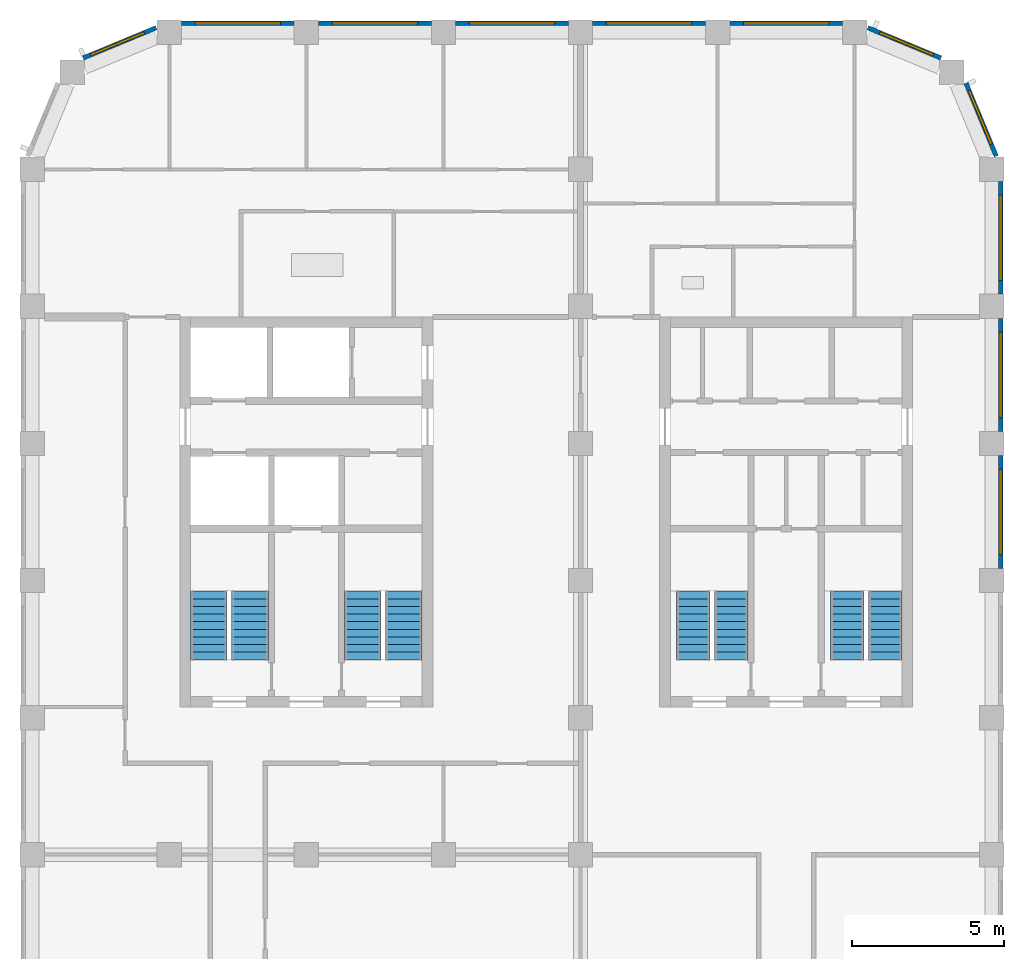
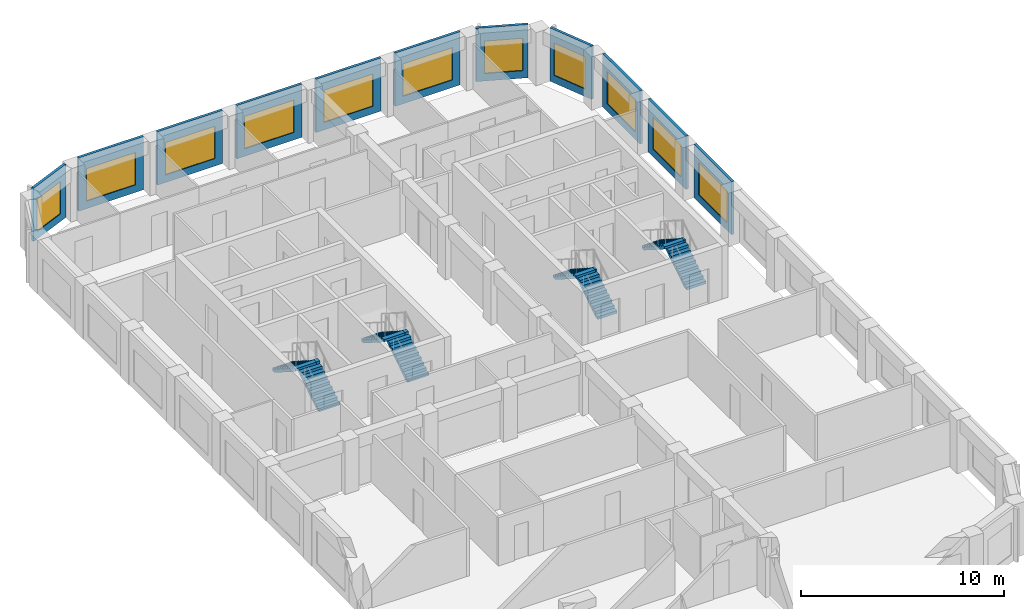
# One storey, part 7 of 9: 11 walls, 11 windows, 8 stair flights, 11 openings, 4 elements without a shape of their own.
"""IFC4 building model written with IfcOpenShell, lengths in metres."""

from ifc_helpers import new_model, si_unit, direction, frame, frame_2d, origin, place, context, subcontext, project, spatial, polyline, rectangle, outline, extrude, material, layer, layer_set, type_object, element, fill, aggregate, save


model = new_model("IFC4")

# Units and contexts
model_context = context("Model", 3, precision=1e-05, world=origin(), true_north=direction((0.0, 1.0)))
body_context = subcontext(model_context, "Body", "Model", "MODEL_VIEW")
ifc_project = project(units=[si_unit("LENGTHUNIT", "METRE"), si_unit("AREAUNIT", "SQUARE_METRE"), si_unit("VOLUMEUNIT", "CUBIC_METRE"), si_unit("PLANEANGLEUNIT", "RADIAN"), si_unit("MASSUNIT", "GRAM", prefix="KILO")], contexts=[model_context])

# Site, building, storey
site_placement = place(None, origin())
site = spatial("IfcSite", under=ifc_project, at=site_placement, CompositionType="ELEMENT")
building_placement = place(site_placement, origin())
building = spatial("IfcBuilding", under=site, at=building_placement, Name="Girih Gate Residences", CompositionType="ELEMENT")
storey_placement = place(building_placement, frame((0.0, 0.0, 182.699951171875)))
storey = spatial("IfcBuildingStorey", under=building, at=storey_placement, Name="L50", CompositionType="ELEMENT", Elevation=182.699951171875)

# Wall, opening, window
ifc_material_1 = material(Name="Precast concrete C50/60", Category="concrete")
ifc_layer_1 = layer(ifc_material_1, 0.050048828125, Name="Outer leaf")
ifc_material_2 = material(Name="Rigid PIR insulation")
ifc_layer_2 = layer(ifc_material_2, 0.06005859375, Name="Insulation")
ifc_material_3 = material(Name="Precast concrete C40/50", Category="concrete")
ifc_layer_3 = layer(ifc_material_3, 0.0400390625, Name="Inner leaf")
ifc_layer_set = layer_set([ifc_layer_1, ifc_layer_2, ifc_layer_3], Name="Precast concrete C50/60 external wall 150")
wall_type = type_object("IfcWallType", Name="Precast concrete C50/60 external wall 150", PredefinedType="SOLIDWALL", material=ifc_layer_set)
wall_1_placement = place(storey_placement, frame((31.800048828125, 35.60009765625, 0.0), z_axis=(0.0, 0.0, 1.0), x_axis=(0.0, -1.0, 0.0)))
wall_1 = element("IfcWall", 1, at=wall_1_placement, inside=storey, type_object=wall_type, Name="External wall E0315_0045.6", PredefinedType="SOLIDWALL", context=body_context, shape_type="SweptSolid", body=[
    extrude(rectangle(XDim=3.7001953125, YDim=0.14990234375, at=frame_2d((1.85009765625, 0.0))), origin(), (0.0, 0.0, 1.0), 3.199951171875),
])
opening_1_placement = place(wall_1_placement, frame((0.449951171875, 0.0, 0.449951171875)))
opening_1 = element("IfcOpeningElement", 2, at=opening_1_placement, cuts=wall_1, Name="Opening W-1B", PredefinedType="OPENING", context=body_context, shape_type="SweptSolid", body=[
    extrude(rectangle(XDim=2.800048828125, YDim=1.949951171875, at=frame_2d((1.39990234375, 0.97509765625))), frame((0.0, 0.0849609375, 0.0), z_axis=(0.0, -1.0, 0.0), x_axis=(1.0, 0.0, 0.0)), (0.0, 0.0, 1.0), 0.169921875),
])
ifc_material_4 = material(Name="Double glazing in aluminium frame", Category="aluminium")
window_type_1 = type_object("IfcWindowType", Name="Window W-1B 2800x1950", PartitioningType="SINGLE_PANEL", PredefinedType="WINDOW", material=ifc_material_4)
window_1_placement = place(opening_1_placement, origin())
window_1 = element("IfcWindow", 3, at=window_1_placement, inside=storey, type_object=window_type_1, Name="Window W-1B E0315_0045.6", OverallHeight=1.949951171875, OverallWidth=2.800048828125, PartitioningType="SINGLE_PANEL", PredefinedType="WINDOW", context=body_context, shape_type="SweptSolid", body=[
    extrude(rectangle(XDim=2.800048828125, YDim=1.949951171875, at=frame_2d((1.39990234375, 0.97509765625))), frame((0.0, 0.030029296875, 0.0), z_axis=(0.0, -1.0, 0.0), x_axis=(1.0, 0.0, 0.0)), (0.0, 0.0, 1.0), 0.06005859375),
])
fill(opening_1, window_1)

wall_2_placement = place(storey_placement, frame((31.800048828125, 40.10009765625, 0.0), z_axis=(0.0, 0.0, 1.0), x_axis=(0.0, -1.0, 0.0)))
wall_2 = element("IfcWall", 4, at=wall_2_placement, inside=storey, type_object=wall_type, Name="External wall E0315_0045.7", PredefinedType="SOLIDWALL", context=body_context, shape_type="SweptSolid", body=[
    extrude(rectangle(XDim=3.7001953125, YDim=0.14990234375, at=frame_2d((1.85009765625, 0.0))), origin(), (0.0, 0.0, 1.0), 3.199951171875),
])
opening_2_placement = place(wall_2_placement, frame((0.449951171875, 0.0, 0.449951171875)))
opening_2 = element("IfcOpeningElement", 5, at=opening_2_placement, cuts=wall_2, Name="Opening W-1B", PredefinedType="OPENING", context=body_context, shape_type="SweptSolid", body=[
    extrude(rectangle(XDim=2.800048828125, YDim=1.949951171875, at=frame_2d((1.39990234375, 0.97509765625))), frame((0.0, 0.0849609375, 0.0), z_axis=(0.0, -1.0, 0.0), x_axis=(1.0, 0.0, 0.0)), (0.0, 0.0, 1.0), 0.169921875),
])
window_2_placement = place(opening_2_placement, origin())
window_2 = element("IfcWindow", 6, at=window_2_placement, inside=storey, type_object=window_type_1, Name="Window W-1B E0315_0045.7", OverallHeight=1.949951171875, OverallWidth=2.800048828125, PartitioningType="SINGLE_PANEL", PredefinedType="WINDOW", context=body_context, shape_type="SweptSolid", body=[
    extrude(rectangle(XDim=2.800048828125, YDim=1.949951171875, at=frame_2d((1.39990234375, 0.97509765625))), frame((0.0, 0.030029296875, 0.0), z_axis=(0.0, -1.0, 0.0), x_axis=(1.0, 0.0, 0.0)), (0.0, 0.0, 1.0), 0.06005859375),
])
fill(opening_2, window_2)

wall_3_placement = place(storey_placement, frame((31.800048828125, 44.60009765625, 0.0), z_axis=(0.0, 0.0, 1.0), x_axis=(0.0, -1.0, 0.0)))
wall_3 = element("IfcWall", 7, at=wall_3_placement, inside=storey, type_object=wall_type, Name="External wall E0315_0045.8", PredefinedType="SOLIDWALL", context=body_context, shape_type="SweptSolid", body=[
    extrude(rectangle(XDim=3.7001953125, YDim=0.14990234375, at=frame_2d((1.85009765625, 0.0))), origin(), (0.0, 0.0, 1.0), 3.199951171875),
])
opening_3_placement = place(wall_3_placement, frame((0.449951171875, 0.0, 0.449951171875)))
opening_3 = element("IfcOpeningElement", 8, at=opening_3_placement, cuts=wall_3, Name="Opening W-1B", PredefinedType="OPENING", context=body_context, shape_type="SweptSolid", body=[
    extrude(rectangle(XDim=2.800048828125, YDim=1.949951171875, at=frame_2d((1.39990234375, 0.97509765625))), frame((0.0, 0.0849609375, 0.0), z_axis=(0.0, -1.0, 0.0), x_axis=(1.0, 0.0, 0.0)), (0.0, 0.0, 1.0), 0.169921875),
])
window_3_placement = place(opening_3_placement, origin())
window_3 = element("IfcWindow", 9, at=window_3_placement, inside=storey, type_object=window_type_1, Name="Window W-1B E0315_0045.8", OverallHeight=1.949951171875, OverallWidth=2.800048828125, PartitioningType="SINGLE_PANEL", PredefinedType="WINDOW", context=body_context, shape_type="SweptSolid", body=[
    extrude(rectangle(XDim=2.800048828125, YDim=1.949951171875, at=frame_2d((1.39990234375, 0.97509765625))), frame((0.0, 0.030029296875, 0.0), z_axis=(0.0, -1.0, 0.0), x_axis=(1.0, 0.0, 0.0)), (0.0, 0.0, 1.0), 0.06005859375),
])
fill(opening_3, window_3)

wall_4_placement = place(storey_placement, frame((30.6513671875, 47.8330078125, 0.0), z_axis=(0.0, 0.0, 1.0), x_axis=(0.382669406082, -0.923885342263, 0.0)))
wall_4 = element("IfcWall", 10, at=wall_4_placement, inside=storey, type_object=wall_type, Name="External wall NE0315_0450.0", PredefinedType="SOLIDWALL", context=body_context, shape_type="SweptSolid", body=[
    extrude(rectangle(XDim=2.602294921875, YDim=0.14990234375, at=frame_2d((1.30126953125, 0.0))), origin(), (0.0, 0.0, 1.0), 3.199951171875),
])
opening_4_placement = place(wall_4_placement, frame((0.27001953125, 0.0, 0.449951171875)))
opening_4 = element("IfcOpeningElement", 11, at=opening_4_placement, cuts=wall_4, Name="Opening W-2G", PredefinedType="OPENING", context=body_context, shape_type="SweptSolid", body=[
    extrude(rectangle(XDim=1.89990234375, YDim=1.949951171875, at=frame_2d((0.949951171875, 0.97509765625))), frame((0.0, 0.0849609375, 0.0), z_axis=(0.0, -1.0, 0.0), x_axis=(1.0, 0.0, 0.0)), (0.0, 0.0, 1.0), 0.169921875),
])
window_type_2 = type_object("IfcWindowType", Name="Window W-2G 1900x1950", PartitioningType="SINGLE_PANEL", PredefinedType="WINDOW", material=ifc_material_4)
window_4_placement = place(opening_4_placement, origin())
window_4 = element("IfcWindow", 12, at=window_4_placement, inside=storey, type_object=window_type_2, Name="Window W-2G NE0315_0450.0", OverallHeight=1.949951171875, OverallWidth=1.89990234375, PartitioningType="SINGLE_PANEL", PredefinedType="WINDOW", context=body_context, shape_type="SweptSolid", body=[
    extrude(rectangle(XDim=1.89990234375, YDim=1.949951171875, at=frame_2d((0.949951171875, 0.97509765625))), frame((0.0, 0.030029296875, 0.0), z_axis=(0.0, -1.0, 0.0), x_axis=(1.0, 0.0, 0.0)), (0.0, 0.0, 1.0), 0.06005859375),
])
fill(opening_4, window_4)

wall_5_placement = place(storey_placement, frame((27.4287109375, 49.647216796875, 0.0), z_axis=(0.0, 0.0, 1.0), x_axis=(0.923885342263, -0.382669406082, 0.0)))
wall_5 = element("IfcWall", 13, at=wall_5_placement, inside=storey, type_object=wall_type, Name="External wall NE0302_0482.0", PredefinedType="SOLIDWALL", context=body_context, shape_type="SweptSolid", body=[
    extrude(rectangle(XDim=2.602294921875, YDim=0.14990234375, at=frame_2d((1.30126953125, 0.0))), origin(), (0.0, 0.0, 1.0), 3.199951171875),
])
opening_5_placement = place(wall_5_placement, frame((0.432373046875, 0.0, 0.449951171875)))
opening_5 = element("IfcOpeningElement", 14, at=opening_5_placement, cuts=wall_5, Name="Opening W-2G", PredefinedType="OPENING", context=body_context, shape_type="SweptSolid", body=[
    extrude(rectangle(XDim=1.89990234375, YDim=1.949951171875, at=frame_2d((0.949951171875, 0.97509765625))), frame((0.0, 0.0849609375, 0.0), z_axis=(0.0, -1.0, 0.0), x_axis=(1.0, 0.0, 0.0)), (0.0, 0.0, 1.0), 0.169921875),
])
window_5_placement = place(opening_5_placement, origin())
window_5 = element("IfcWindow", 15, at=window_5_placement, inside=storey, type_object=window_type_2, Name="Window W-2G NE0302_0482.0", OverallHeight=1.949951171875, OverallWidth=1.89990234375, PartitioningType="SINGLE_PANEL", PredefinedType="WINDOW", context=body_context, shape_type="SweptSolid", body=[
    extrude(rectangle(XDim=1.89990234375, YDim=1.949951171875, at=frame_2d((0.949951171875, 0.97509765625))), frame((0.0, 0.030029296875, 0.0), z_axis=(0.0, -1.0, 0.0), x_axis=(1.0, 0.0, 0.0)), (0.0, 0.0, 1.0), 0.06005859375),
])
fill(opening_5, window_5)

wall_6_placement = place(storey_placement, frame((22.89990234375, 49.800048828125, 0.0), z_axis=(0.0, 0.0, 1.0), x_axis=(1.0, 0.0, 0.0)))
wall_6 = element("IfcWall", 16, at=wall_6_placement, inside=storey, type_object=wall_type, Name="External wall N0270_0495.0", PredefinedType="SOLIDWALL", context=body_context, shape_type="SweptSolid", body=[
    extrude(rectangle(XDim=3.7001953125, YDim=0.14990234375, at=frame_2d((1.85009765625, 0.0))), origin(), (0.0, 0.0, 1.0), 3.199951171875),
])
opening_6_placement = place(wall_6_placement, frame((0.449951171875, 0.0, 0.449951171875)))
opening_6 = element("IfcOpeningElement", 17, at=opening_6_placement, cuts=wall_6, Name="Opening W-1B", PredefinedType="OPENING", context=body_context, shape_type="SweptSolid", body=[
    extrude(rectangle(XDim=2.800048828125, YDim=1.949951171875, at=frame_2d((1.39990234375, 0.97509765625))), frame((0.0, 0.0849609375, 0.0), z_axis=(0.0, -1.0, 0.0), x_axis=(1.0, 0.0, 0.0)), (0.0, 0.0, 1.0), 0.169921875),
])
window_6_placement = place(opening_6_placement, origin())
window_6 = element("IfcWindow", 18, at=window_6_placement, inside=storey, type_object=window_type_1, Name="Window W-1B N0270_0495.0", OverallHeight=1.949951171875, OverallWidth=2.800048828125, PartitioningType="SINGLE_PANEL", PredefinedType="WINDOW", context=body_context, shape_type="SweptSolid", body=[
    extrude(rectangle(XDim=2.800048828125, YDim=1.949951171875, at=frame_2d((1.39990234375, 0.97509765625))), frame((0.0, 0.030029296875, 0.0), z_axis=(0.0, -1.0, 0.0), x_axis=(1.0, 0.0, 0.0)), (0.0, 0.0, 1.0), 0.06005859375),
])
fill(opening_6, window_6)

wall_7_placement = place(storey_placement, frame((18.39990234375, 49.800048828125, 0.0), z_axis=(0.0, 0.0, 1.0), x_axis=(1.0, 0.0, 0.0)))
wall_7 = element("IfcWall", 19, at=wall_7_placement, inside=storey, type_object=wall_type, Name="External wall N0270_0495.1", PredefinedType="SOLIDWALL", context=body_context, shape_type="SweptSolid", body=[
    extrude(rectangle(XDim=3.7001953125, YDim=0.14990234375, at=frame_2d((1.85009765625, 0.0))), origin(), (0.0, 0.0, 1.0), 3.199951171875),
])
opening_7_placement = place(wall_7_placement, frame((0.449951171875, 0.0, 0.449951171875)))
opening_7 = element("IfcOpeningElement", 20, at=opening_7_placement, cuts=wall_7, Name="Opening W-1B", PredefinedType="OPENING", context=body_context, shape_type="SweptSolid", body=[
    extrude(rectangle(XDim=2.800048828125, YDim=1.949951171875, at=frame_2d((1.39990234375, 0.97509765625))), frame((0.0, 0.0849609375, 0.0), z_axis=(0.0, -1.0, 0.0), x_axis=(1.0, 0.0, 0.0)), (0.0, 0.0, 1.0), 0.169921875),
])
window_7_placement = place(opening_7_placement, origin())
window_7 = element("IfcWindow", 21, at=window_7_placement, inside=storey, type_object=window_type_1, Name="Window W-1B N0270_0495.1", OverallHeight=1.949951171875, OverallWidth=2.800048828125, PartitioningType="SINGLE_PANEL", PredefinedType="WINDOW", context=body_context, shape_type="SweptSolid", body=[
    extrude(rectangle(XDim=2.800048828125, YDim=1.949951171875, at=frame_2d((1.39990234375, 0.97509765625))), frame((0.0, 0.030029296875, 0.0), z_axis=(0.0, -1.0, 0.0), x_axis=(1.0, 0.0, 0.0)), (0.0, 0.0, 1.0), 0.06005859375),
])
fill(opening_7, window_7)

wall_8_placement = place(storey_placement, frame((13.89990234375, 49.800048828125, 0.0), z_axis=(0.0, 0.0, 1.0), x_axis=(1.0, 0.0, 0.0)))
wall_8 = element("IfcWall", 22, at=wall_8_placement, inside=storey, type_object=wall_type, Name="External wall N0270_0495.2", PredefinedType="SOLIDWALL", context=body_context, shape_type="SweptSolid", body=[
    extrude(rectangle(XDim=3.7001953125, YDim=0.14990234375, at=frame_2d((1.85009765625, 0.0))), origin(), (0.0, 0.0, 1.0), 3.199951171875),
])
opening_8_placement = place(wall_8_placement, frame((0.449951171875, 0.0, 0.449951171875)))
opening_8 = element("IfcOpeningElement", 23, at=opening_8_placement, cuts=wall_8, Name="Opening W-1B", PredefinedType="OPENING", context=body_context, shape_type="SweptSolid", body=[
    extrude(rectangle(XDim=2.800048828125, YDim=1.949951171875, at=frame_2d((1.39990234375, 0.97509765625))), frame((0.0, 0.0849609375, 0.0), z_axis=(0.0, -1.0, 0.0), x_axis=(1.0, 0.0, 0.0)), (0.0, 0.0, 1.0), 0.169921875),
])
window_8_placement = place(opening_8_placement, origin())
window_8 = element("IfcWindow", 24, at=window_8_placement, inside=storey, type_object=window_type_1, Name="Window W-1B N0270_0495.2", OverallHeight=1.949951171875, OverallWidth=2.800048828125, PartitioningType="SINGLE_PANEL", PredefinedType="WINDOW", context=body_context, shape_type="SweptSolid", body=[
    extrude(rectangle(XDim=2.800048828125, YDim=1.949951171875, at=frame_2d((1.39990234375, 0.97509765625))), frame((0.0, 0.030029296875, 0.0), z_axis=(0.0, -1.0, 0.0), x_axis=(1.0, 0.0, 0.0)), (0.0, 0.0, 1.0), 0.06005859375),
])
fill(opening_8, window_8)

wall_9_placement = place(storey_placement, frame((9.39990234375, 49.800048828125, 0.0), z_axis=(0.0, 0.0, 1.0), x_axis=(1.0, 0.0, 0.0)))
wall_9 = element("IfcWall", 25, at=wall_9_placement, inside=storey, type_object=wall_type, Name="External wall N0270_0495.3", PredefinedType="SOLIDWALL", context=body_context, shape_type="SweptSolid", body=[
    extrude(rectangle(XDim=3.7001953125, YDim=0.14990234375, at=frame_2d((1.85009765625, 0.0))), origin(), (0.0, 0.0, 1.0), 3.199951171875),
])
opening_9_placement = place(wall_9_placement, frame((0.449951171875, 0.0, 0.449951171875)))
opening_9 = element("IfcOpeningElement", 26, at=opening_9_placement, cuts=wall_9, Name="Opening W-1B", PredefinedType="OPENING", context=body_context, shape_type="SweptSolid", body=[
    extrude(rectangle(XDim=2.800048828125, YDim=1.949951171875, at=frame_2d((1.39990234375, 0.97509765625))), frame((0.0, 0.0849609375, 0.0), z_axis=(0.0, -1.0, 0.0), x_axis=(1.0, 0.0, 0.0)), (0.0, 0.0, 1.0), 0.169921875),
])
window_9_placement = place(opening_9_placement, origin())
window_9 = element("IfcWindow", 27, at=window_9_placement, inside=storey, type_object=window_type_1, Name="Window W-1B N0270_0495.3", OverallHeight=1.949951171875, OverallWidth=2.800048828125, PartitioningType="SINGLE_PANEL", PredefinedType="WINDOW", context=body_context, shape_type="SweptSolid", body=[
    extrude(rectangle(XDim=2.800048828125, YDim=1.949951171875, at=frame_2d((1.39990234375, 0.97509765625))), frame((0.0, 0.030029296875, 0.0), z_axis=(0.0, -1.0, 0.0), x_axis=(1.0, 0.0, 0.0)), (0.0, 0.0, 1.0), 0.06005859375),
])
fill(opening_9, window_9)

wall_10_placement = place(storey_placement, frame((4.89990234375, 49.800048828125, 0.0), z_axis=(0.0, 0.0, 1.0), x_axis=(1.0, 0.0, 0.0)))
wall_10 = element("IfcWall", 28, at=wall_10_placement, inside=storey, type_object=wall_type, Name="External wall N0270_0495.4", PredefinedType="SOLIDWALL", context=body_context, shape_type="SweptSolid", body=[
    extrude(rectangle(XDim=3.7001953125, YDim=0.14990234375, at=frame_2d((1.85009765625, 0.0))), origin(), (0.0, 0.0, 1.0), 3.199951171875),
])
opening_10_placement = place(wall_10_placement, frame((0.449951171875, 0.0, 0.449951171875)))
opening_10 = element("IfcOpeningElement", 29, at=opening_10_placement, cuts=wall_10, Name="Opening W-1B", PredefinedType="OPENING", context=body_context, shape_type="SweptSolid", body=[
    extrude(rectangle(XDim=2.800048828125, YDim=1.949951171875, at=frame_2d((1.39990234375, 0.97509765625))), frame((0.0, 0.0849609375, 0.0), z_axis=(0.0, -1.0, 0.0), x_axis=(1.0, 0.0, 0.0)), (0.0, 0.0, 1.0), 0.169921875),
])
window_10_placement = place(opening_10_placement, origin())
window_10 = element("IfcWindow", 30, at=window_10_placement, inside=storey, type_object=window_type_1, Name="Window W-1B N0270_0495.4", OverallHeight=1.949951171875, OverallWidth=2.800048828125, PartitioningType="SINGLE_PANEL", PredefinedType="WINDOW", context=body_context, shape_type="SweptSolid", body=[
    extrude(rectangle(XDim=2.800048828125, YDim=1.949951171875, at=frame_2d((1.39990234375, 0.97509765625))), frame((0.0, 0.030029296875, 0.0), z_axis=(0.0, -1.0, 0.0), x_axis=(1.0, 0.0, 0.0)), (0.0, 0.0, 1.0), 0.06005859375),
])
fill(opening_10, window_10)

wall_11_placement = place(storey_placement, frame((1.6669921875, 48.6513671875, 0.0), z_axis=(0.0, 0.0, 1.0), x_axis=(0.923885342263, 0.382669406082, 0.0)))
wall_11 = element("IfcWall", 31, at=wall_11_placement, inside=storey, type_object=wall_type, Name="External wall NW0045_0495.0", PredefinedType="SOLIDWALL", context=body_context, shape_type="SweptSolid", body=[
    extrude(rectangle(XDim=2.602294921875, YDim=0.14990234375, at=frame_2d((1.30126953125, 0.0))), origin(), (0.0, 0.0, 1.0), 3.199951171875),
])
opening_11_placement = place(wall_11_placement, frame((0.27001953125, 0.0, 0.449951171875)))
opening_11 = element("IfcOpeningElement", 32, at=opening_11_placement, cuts=wall_11, Name="Opening W-2G", PredefinedType="OPENING", context=body_context, shape_type="SweptSolid", body=[
    extrude(rectangle(XDim=1.89990234375, YDim=1.949951171875, at=frame_2d((0.949951171875, 0.97509765625))), frame((0.0, 0.0849609375, 0.0), z_axis=(0.0, -1.0, 0.0), x_axis=(1.0, 0.0, 0.0)), (0.0, 0.0, 1.0), 0.169921875),
])
window_11_placement = place(opening_11_placement, origin())
window_11 = element("IfcWindow", 33, at=window_11_placement, inside=storey, type_object=window_type_2, Name="Window W-2G NW0045_0495.0", OverallHeight=1.949951171875, OverallWidth=1.89990234375, PartitioningType="SINGLE_PANEL", PredefinedType="WINDOW", context=body_context, shape_type="SweptSolid", body=[
    extrude(rectangle(XDim=1.89990234375, YDim=1.949951171875, at=frame_2d((0.949951171875, 0.97509765625))), frame((0.0, 0.030029296875, 0.0), z_axis=(0.0, -1.0, 0.0), x_axis=(1.0, 0.0, 0.0)), (0.0, 0.0, 1.0), 0.06005859375),
])
fill(opening_11, window_11)

# Stair, stair flights
ifc_material_5 = material(Name="Concrete C40/50", Category="concrete")
stair_type_1 = type_object("IfcStairType", Name="Exit stair C core", PredefinedType="HALF_TURN_STAIR", material=ifc_material_5)
stair_1_placement = place(storey_placement, origin())
stair_1 = element("IfcStair", 34, at=stair_1_placement, inside=storey, type_object=stair_type_1, Name="L50 Exit Stair ST-C1", PredefinedType="HALF_TURN_STAIR")
stair_flight_type_1 = type_object("IfcStairFlightType", Name="Stair flight 1100", PredefinedType="STRAIGHT", material=ifc_material_5)
stair_flight_1_placement = place(storey_placement, frame((22.949951171875, 28.89990234375, 0.0), z_axis=(0.0, 0.0, 1.0), x_axis=(0.0, 1.0, 0.0)))
stair_flight_1 = element("IfcStairFlight", 35, at=stair_flight_1_placement, type_object=stair_flight_type_1, Name="ST-C1 flight 1", NumberOfRisers=10, NumberOfTreads=9, PredefinedType="STRAIGHT", RiserHeight=0.16, TreadLength=0.25, context=body_context, shape_type="SweptSolid", body=[
    extrude(outline(polyline([(0.0, 0.0), (0.0, 0.159912109375), (0.25, 0.159912109375), (0.25, 0.320068359375), (0.5, 0.320068359375), (0.5, 0.47998046875), (0.75, 0.47998046875), (0.75, 0.639892578125), (1.0, 0.639892578125), (1.0, 0.800048828125), (1.25, 0.800048828125), (1.25, 0.9599609375), (1.5, 0.9599609375), (1.5, 1.1201171875), (1.75, 1.1201171875), (1.75, 1.280029296875), (2.0, 1.280029296875), (2.0, 1.43994140625), (2.25, 1.43994140625), (2.25, 1.60009765625), (2.25, 1.29736328125), (0.222900390625, 0.0), (0.0, 0.0)])), frame((0.0, 0.550048828125, 0.0), z_axis=(0.0, -1.0, 0.0), x_axis=(1.0, 0.0, 0.0)), (0.0, 0.0, 1.0), 1.10009765625),
])
stair_flight_2_placement = place(storey_placement, frame((21.699951171875, 31.14990234375, 1.60009765625), z_axis=(0.0, 0.0, 1.0), x_axis=(0.0, -1.0, 0.0)))
stair_flight_2 = element("IfcStairFlight", 36, at=stair_flight_2_placement, type_object=stair_flight_type_1, Name="ST-C1 flight 2", NumberOfRisers=10, NumberOfTreads=9, PredefinedType="STRAIGHT", RiserHeight=0.16, TreadLength=0.25, context=body_context, shape_type="SweptSolid", body=[
    extrude(outline(polyline([(0.0, 0.0), (0.0, 0.159912109375), (0.25, 0.159912109375), (0.25, 0.320068359375), (0.5, 0.320068359375), (0.5, 0.47998046875), (0.75, 0.47998046875), (0.75, 0.639892578125), (1.0, 0.639892578125), (1.0, 0.800048828125), (1.25, 0.800048828125), (1.25, 0.9599609375), (1.5, 0.9599609375), (1.5, 1.1201171875), (1.75, 1.1201171875), (1.75, 1.280029296875), (2.0, 1.280029296875), (2.0, 1.43994140625), (2.25, 1.43994140625), (2.25, 1.60009765625), (2.25, 1.29736328125), (0.222900390625, 0.0), (0.0, 0.0)])), frame((0.0, 0.550048828125, 0.0), z_axis=(0.0, -1.0, 0.0), x_axis=(1.0, 0.0, 0.0)), (0.0, 0.0, 1.0), 1.10009765625),
])
aggregate(stair_1, [stair_flight_1, stair_flight_2])

stair_2_placement = place(storey_placement, origin())
stair_2 = element("IfcStair", 37, at=stair_2_placement, inside=storey, type_object=stair_type_1, Name="L50 Exit Stair ST-C2", PredefinedType="HALF_TURN_STAIR")
stair_flight_3_placement = place(storey_placement, frame((28.0, 28.89990234375, 0.0), z_axis=(0.0, 0.0, 1.0), x_axis=(0.0, 1.0, 0.0)))
stair_flight_3 = element("IfcStairFlight", 38, at=stair_flight_3_placement, type_object=stair_flight_type_1, Name="ST-C2 flight 1", NumberOfRisers=10, NumberOfTreads=9, PredefinedType="STRAIGHT", RiserHeight=0.16, TreadLength=0.25, context=body_context, shape_type="SweptSolid", body=[
    extrude(outline(polyline([(0.0, 0.0), (0.0, 0.159912109375), (0.25, 0.159912109375), (0.25, 0.320068359375), (0.5, 0.320068359375), (0.5, 0.47998046875), (0.75, 0.47998046875), (0.75, 0.639892578125), (1.0, 0.639892578125), (1.0, 0.800048828125), (1.25, 0.800048828125), (1.25, 0.9599609375), (1.5, 0.9599609375), (1.5, 1.1201171875), (1.75, 1.1201171875), (1.75, 1.280029296875), (2.0, 1.280029296875), (2.0, 1.43994140625), (2.25, 1.43994140625), (2.25, 1.60009765625), (2.25, 1.29736328125), (0.222900390625, 0.0), (0.0, 0.0)])), frame((0.0, 0.550048828125, 0.0), z_axis=(0.0, -1.0, 0.0), x_axis=(1.0, 0.0, 0.0)), (0.0, 0.0, 1.0), 1.10009765625),
])
stair_flight_4_placement = place(storey_placement, frame((26.75, 31.14990234375, 1.60009765625), z_axis=(0.0, 0.0, 1.0), x_axis=(0.0, -1.0, 0.0)))
stair_flight_4 = element("IfcStairFlight", 39, at=stair_flight_4_placement, type_object=stair_flight_type_1, Name="ST-C2 flight 2", NumberOfRisers=10, NumberOfTreads=9, PredefinedType="STRAIGHT", RiserHeight=0.16, TreadLength=0.25, context=body_context, shape_type="SweptSolid", body=[
    extrude(outline(polyline([(0.0, 0.0), (0.0, 0.159912109375), (0.25, 0.159912109375), (0.25, 0.320068359375), (0.5, 0.320068359375), (0.5, 0.47998046875), (0.75, 0.47998046875), (0.75, 0.639892578125), (1.0, 0.639892578125), (1.0, 0.800048828125), (1.25, 0.800048828125), (1.25, 0.9599609375), (1.5, 0.9599609375), (1.5, 1.1201171875), (1.75, 1.1201171875), (1.75, 1.280029296875), (2.0, 1.280029296875), (2.0, 1.43994140625), (2.25, 1.43994140625), (2.25, 1.60009765625), (2.25, 1.29736328125), (0.222900390625, 0.0), (0.0, 0.0)])), frame((0.0, 0.550048828125, 0.0), z_axis=(0.0, -1.0, 0.0), x_axis=(1.0, 0.0, 0.0)), (0.0, 0.0, 1.0), 1.10009765625),
])
aggregate(stair_2, [stair_flight_3, stair_flight_4])

stair_type_2 = type_object("IfcStairType", Name="Exit stair", PredefinedType="HALF_TURN_STAIR", material=ifc_material_5)
stair_3_placement = place(storey_placement, origin())
stair_3 = element("IfcStair", 40, at=stair_3_placement, inside=storey, type_object=stair_type_2, Name="L50 Exit Stair ST-W1", PredefinedType="HALF_TURN_STAIR")
stair_flight_type_2 = type_object("IfcStairFlightType", Name="Stair flight 1200", PredefinedType="STRAIGHT", material=ifc_material_5)
stair_flight_5_placement = place(storey_placement, frame((7.14990234375, 28.89990234375, 0.0), z_axis=(0.0, 0.0, 1.0), x_axis=(0.0, 1.0, 0.0)))
stair_flight_5 = element("IfcStairFlight", 41, at=stair_flight_5_placement, type_object=stair_flight_type_2, Name="ST-W1 flight 1", NumberOfRisers=10, NumberOfTreads=9, PredefinedType="STRAIGHT", RiserHeight=0.16, TreadLength=0.25, context=body_context, shape_type="SweptSolid", body=[
    extrude(outline(polyline([(0.0, 0.0), (0.0, 0.159912109375), (0.25, 0.159912109375), (0.25, 0.320068359375), (0.5, 0.320068359375), (0.5, 0.47998046875), (0.75, 0.47998046875), (0.75, 0.639892578125), (1.0, 0.639892578125), (1.0, 0.800048828125), (1.25, 0.800048828125), (1.25, 0.9599609375), (1.5, 0.9599609375), (1.5, 1.1201171875), (1.75, 1.1201171875), (1.75, 1.280029296875), (2.0, 1.280029296875), (2.0, 1.43994140625), (2.25, 1.43994140625), (2.25, 1.60009765625), (2.25, 1.29736328125), (0.222900390625, 0.0), (0.0, 0.0)])), frame((0.0, 0.60009765625, 0.0), z_axis=(0.0, -1.0, 0.0), x_axis=(1.0, 0.0, 0.0)), (0.0, 0.0, 1.0), 1.199951171875),
])
stair_flight_6_placement = place(storey_placement, frame((5.800048828125, 31.14990234375, 1.60009765625), z_axis=(0.0, 0.0, 1.0), x_axis=(0.0, -1.0, 0.0)))
stair_flight_6 = element("IfcStairFlight", 42, at=stair_flight_6_placement, type_object=stair_flight_type_2, Name="ST-W1 flight 2", NumberOfRisers=10, NumberOfTreads=9, PredefinedType="STRAIGHT", RiserHeight=0.16, TreadLength=0.25, context=body_context, shape_type="SweptSolid", body=[
    extrude(outline(polyline([(0.0, 0.0), (0.0, 0.159912109375), (0.25, 0.159912109375), (0.25, 0.320068359375), (0.5, 0.320068359375), (0.5, 0.47998046875), (0.75, 0.47998046875), (0.75, 0.639892578125), (1.0, 0.639892578125), (1.0, 0.800048828125), (1.25, 0.800048828125), (1.25, 0.9599609375), (1.5, 0.9599609375), (1.5, 1.1201171875), (1.75, 1.1201171875), (1.75, 1.280029296875), (2.0, 1.280029296875), (2.0, 1.43994140625), (2.25, 1.43994140625), (2.25, 1.60009765625), (2.25, 1.29736328125), (0.222900390625, 0.0), (0.0, 0.0)])), frame((0.0, 0.60009765625, 0.0), z_axis=(0.0, -1.0, 0.0), x_axis=(1.0, 0.0, 0.0)), (0.0, 0.0, 1.0), 1.199951171875),
])
aggregate(stair_3, [stair_flight_5, stair_flight_6])

stair_4_placement = place(storey_placement, origin())
stair_4 = element("IfcStair", 43, at=stair_4_placement, inside=storey, type_object=stair_type_2, Name="L50 Exit Stair ST-W2", PredefinedType="HALF_TURN_STAIR")
stair_flight_7_placement = place(storey_placement, frame((12.199951171875, 28.89990234375, 0.0), z_axis=(0.0, 0.0, 1.0), x_axis=(0.0, 1.0, 0.0)))
stair_flight_7 = element("IfcStairFlight", 44, at=stair_flight_7_placement, type_object=stair_flight_type_2, Name="ST-W2 flight 1", NumberOfRisers=10, NumberOfTreads=9, PredefinedType="STRAIGHT", RiserHeight=0.16, TreadLength=0.25, context=body_context, shape_type="SweptSolid", body=[
    extrude(outline(polyline([(0.0, 0.0), (0.0, 0.159912109375), (0.25, 0.159912109375), (0.25, 0.320068359375), (0.5, 0.320068359375), (0.5, 0.47998046875), (0.75, 0.47998046875), (0.75, 0.639892578125), (1.0, 0.639892578125), (1.0, 0.800048828125), (1.25, 0.800048828125), (1.25, 0.9599609375), (1.5, 0.9599609375), (1.5, 1.1201171875), (1.75, 1.1201171875), (1.75, 1.280029296875), (2.0, 1.280029296875), (2.0, 1.43994140625), (2.25, 1.43994140625), (2.25, 1.60009765625), (2.25, 1.29736328125), (0.222900390625, 0.0), (0.0, 0.0)])), frame((0.0, 0.60009765625, 0.0), z_axis=(0.0, -1.0, 0.0), x_axis=(1.0, 0.0, 0.0)), (0.0, 0.0, 1.0), 1.199951171875),
])
stair_flight_8_placement = place(storey_placement, frame((10.85009765625, 31.14990234375, 1.60009765625), z_axis=(0.0, 0.0, 1.0), x_axis=(0.0, -1.0, 0.0)))
stair_flight_8 = element("IfcStairFlight", 45, at=stair_flight_8_placement, type_object=stair_flight_type_2, Name="ST-W2 flight 2", NumberOfRisers=10, NumberOfTreads=9, PredefinedType="STRAIGHT", RiserHeight=0.16, TreadLength=0.25, context=body_context, shape_type="SweptSolid", body=[
    extrude(outline(polyline([(0.0, 0.0), (0.0, 0.159912109375), (0.25, 0.159912109375), (0.25, 0.320068359375), (0.5, 0.320068359375), (0.5, 0.47998046875), (0.75, 0.47998046875), (0.75, 0.639892578125), (1.0, 0.639892578125), (1.0, 0.800048828125), (1.25, 0.800048828125), (1.25, 0.9599609375), (1.5, 0.9599609375), (1.5, 1.1201171875), (1.75, 1.1201171875), (1.75, 1.280029296875), (2.0, 1.280029296875), (2.0, 1.43994140625), (2.25, 1.43994140625), (2.25, 1.60009765625), (2.25, 1.29736328125), (0.222900390625, 0.0), (0.0, 0.0)])), frame((0.0, 0.60009765625, 0.0), z_axis=(0.0, -1.0, 0.0), x_axis=(1.0, 0.0, 0.0)), (0.0, 0.0, 1.0), 1.199951171875),
])
aggregate(stair_4, [stair_flight_7, stair_flight_8])

save(model, "model.ifc")
